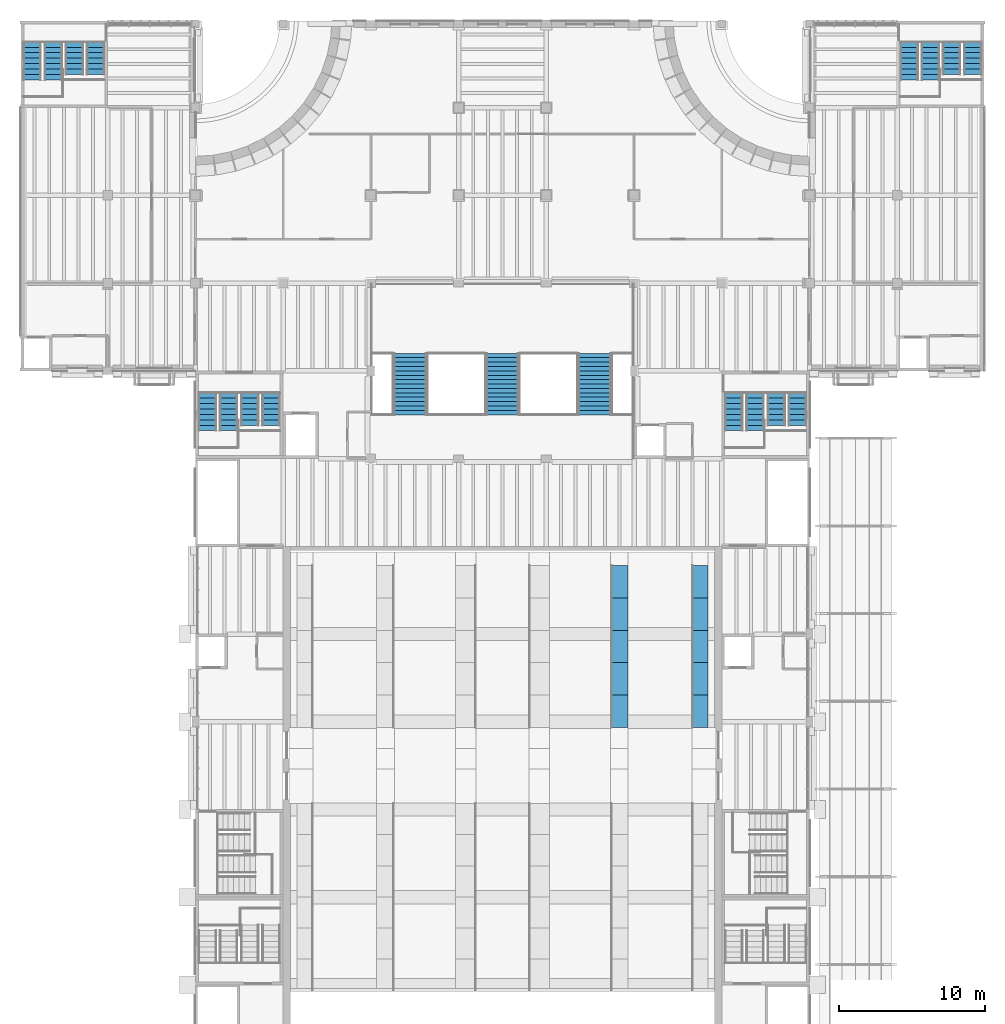
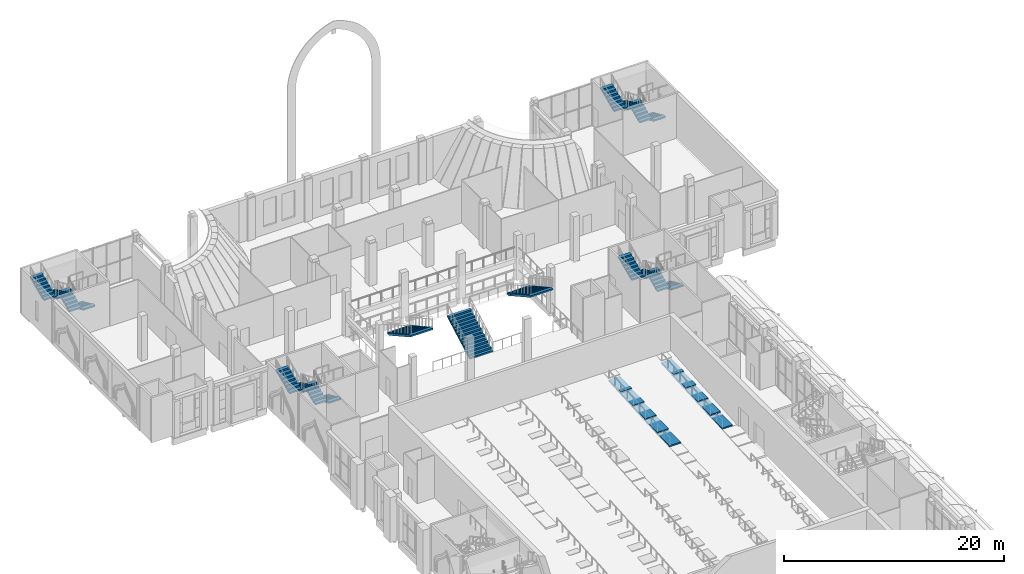
# One storey, part 49 of 80: 21 stair flights, 7 elements without a shape of their own.
"""IFC4 building model written with IfcOpenShell, lengths in metres."""

from ifc_helpers import new_model, si_unit, direction, frame, origin, place, context, subcontext, project, spatial, polyline, outline, extrude, material, type_object, element, aggregate, save


model = new_model("IFC4")

# Units and contexts
model_context = context("Model", 3, precision=1e-05, world=origin(), true_north=direction((0.0, 1.0)))
body_context = subcontext(model_context, "Body", "Model", "MODEL_VIEW")
ifc_project = project(units=[si_unit("LENGTHUNIT", "METRE"), si_unit("AREAUNIT", "SQUARE_METRE"), si_unit("VOLUMEUNIT", "CUBIC_METRE"), si_unit("PLANEANGLEUNIT", "RADIAN"), si_unit("MASSUNIT", "GRAM", prefix="KILO")], contexts=[model_context])

# Site, building, storey
site_placement = place(None, origin())
site = spatial("IfcSite", under=ifc_project, at=site_placement, CompositionType="ELEMENT")
building_placement = place(site_placement, origin())
building = spatial("IfcBuilding", under=site, at=building_placement, Name="Saffron Lane Theatres", CompositionType="ELEMENT")
storey_placement = place(building_placement, frame((0.0, 0.0, 7.0)))
storey = spatial("IfcBuildingStorey", under=building, at=storey_placement, Name="L01", CompositionType="ELEMENT", Elevation=7.0)

# Stair, stair flight
ifc_material_1 = material(Name="Concrete N40 (40 MPa)", Category="concrete")
stair_type_1 = type_object("IfcStairType", Name="VC-STAIR AISLE", PredefinedType="STRAIGHT_RUN_STAIR", material=ifc_material_1)
stair_1_placement = place(storey_placement, origin())
stair_1 = element("IfcStair", 1, at=stair_1_placement, inside=storey, type_object=stair_type_1, Name="Stalls aisle 6 part 2", PredefinedType="STRAIGHT_RUN_STAIR")
ifc_material_2 = material(Name="Concrete N40 (40 MPa)", Category="concrete")
stair_flight_type_1 = type_object("IfcStairFlightType", Name="VC-FLIGHT 1100", PredefinedType="STRAIGHT", material=ifc_material_2)
stair_flight_1_placement = place(storey_placement, frame((46.5, 77.60009765625, 0.2080078125), z_axis=(0.0, 0.0, 1.0), x_axis=(0.0, 1.0, 0.0)))
stair_flight_1 = element("IfcStairFlight", 2, at=stair_flight_1_placement, type_object=stair_flight_type_1, Name="Stalls aisle 6 part 2 flight", NumberOfRisers=6, NumberOfTreads=5, PredefinedType="STRAIGHT", RiserHeight=0.148, TreadLength=2.22, context=body_context, shape_type="SweptSolid", body=[
    extrude(outline(polyline([(0.0, 0.0), (0.0, 0.14794921875), (2.219970703125, 0.14794921875), (2.219970703125, 0.2958984375), (4.43994140625, 0.2958984375), (4.43994140625, 0.444091796875), (6.659912109375, 0.444091796875), (6.659912109375, 0.592041015625), (8.8798828125, 0.592041015625), (8.8798828125, 0.739990234375), (11.10009765625, 0.739990234375), (11.10009765625, 0.887939453125), (11.10009765625, 0.58984375), (2.25341796875, 0.0), (0.0, 0.0)])), frame((0.0, 0.550048828125, 0.0), z_axis=(0.0, -1.0, 0.0), x_axis=(1.0, 0.0, 0.0)), (0.0, 0.0, 1.0), 1.10009765625),
])
aggregate(stair_1, [stair_flight_1])

stair_2_placement = place(storey_placement, origin())
stair_2 = element("IfcStair", 3, at=stair_2_placement, inside=storey, type_object=stair_type_1, Name="Stalls aisle 5 part 2", PredefinedType="STRAIGHT_RUN_STAIR")
ifc_material_3 = material(Name="Concrete N40 (40 MPa)", Category="concrete")
stair_flight_type_2 = type_object("IfcStairFlightType", Name="VC-FLIGHT 1200", PredefinedType="STRAIGHT", material=ifc_material_3)
stair_flight_2_placement = place(storey_placement, frame((41.0, 77.60009765625, 0.2080078125), z_axis=(0.0, 0.0, 1.0), x_axis=(0.0, 1.0, 0.0)))
stair_flight_2 = element("IfcStairFlight", 4, at=stair_flight_2_placement, type_object=stair_flight_type_2, Name="Stalls aisle 5 part 2 flight", NumberOfRisers=6, NumberOfTreads=5, PredefinedType="STRAIGHT", RiserHeight=0.148, TreadLength=2.22, context=body_context, shape_type="SweptSolid", body=[
    extrude(outline(polyline([(0.0, 0.0), (0.0, 0.14794921875), (2.219970703125, 0.14794921875), (2.219970703125, 0.2958984375), (4.43994140625, 0.2958984375), (4.43994140625, 0.444091796875), (6.659912109375, 0.444091796875), (6.659912109375, 0.592041015625), (8.8798828125, 0.592041015625), (8.8798828125, 0.739990234375), (11.10009765625, 0.739990234375), (11.10009765625, 0.887939453125), (11.10009765625, 0.58984375), (2.25341796875, 0.0), (0.0, 0.0)])), frame((0.0, 0.60009765625, 0.0), z_axis=(0.0, -1.0, 0.0), x_axis=(1.0, 0.0, 0.0)), (0.0, 0.0, 1.0), 1.199951171875),
])
aggregate(stair_2, [stair_flight_2])

# Stair, stair flights
ifc_material_4 = material(Name="Concrete N40 (40 MPa)", Category="concrete")
stair_type_2 = type_object("IfcStairType", Name="VC-STAIR EXIT", PredefinedType="TWO_STRAIGHT_RUN_STAIR", material=ifc_material_4)
stair_3_placement = place(storey_placement, origin())
stair_3 = element("IfcStair", 5, at=stair_3_placement, inside=storey, type_object=stair_type_2, Name="Brick Block West Stair L01 to L02", PredefinedType="TWO_STRAIGHT_RUN_STAIR")
ifc_material_5 = material(Name="Concrete N40 (40 MPa)", Category="concrete")
stair_flight_type_3 = type_object("IfcStairFlightType", Name="VC-FLIGHT 1250", PredefinedType="STRAIGHT", material=ifc_material_5)
stair_flight_3_placement = place(storey_placement, frame((17.175048828125, 100.5, 0.0), z_axis=(0.0, 0.0, 1.0), x_axis=(0.0, -1.0, 0.0)))
stair_flight_3 = element("IfcStairFlight", 6, at=stair_flight_3_placement, type_object=stair_flight_type_3, Name="Brick Block West Stair flight 2.1", NumberOfRisers=7, NumberOfTreads=6, PredefinedType="STRAIGHT", RiserHeight=0.166666667, TreadLength=0.37, context=body_context, shape_type="SweptSolid", body=[
    extrude(outline(polyline([(0.0, 0.0), (0.0, 0.166748046875), (0.3701171875, 0.166748046875), (0.3701171875, 0.333251953125), (0.739990234375, 0.333251953125), (0.739990234375, 0.5), (1.110107421875, 0.5), (1.110107421875, 0.666748046875), (1.47998046875, 0.666748046875), (1.47998046875, 0.833251953125), (1.85009765625, 0.833251953125), (1.85009765625, 1.0), (2.219970703125, 1.0), (2.219970703125, 1.166748046875), (2.219970703125, 0.835693359375), (0.364990234375, 0.0), (0.0, 0.0)])), frame((0.0, 0.625, 0.0), z_axis=(0.0, -1.0, 0.0), x_axis=(1.0, 0.0, 0.0)), (0.0, 0.0, 1.0), 1.25),
])
stair_flight_4_placement = place(storey_placement, frame((15.72509765625, 98.280029296875, 1.166748046875), z_axis=(0.0, 0.0, 1.0), x_axis=(0.0, 1.0, 0.0)))
stair_flight_4 = element("IfcStairFlight", 7, at=stair_flight_4_placement, type_object=stair_flight_type_3, Name="Brick Block West Stair flight 2.2", NumberOfRisers=7, NumberOfTreads=6, PredefinedType="STRAIGHT", RiserHeight=0.166666667, TreadLength=0.37, context=body_context, shape_type="SweptSolid", body=[
    extrude(outline(polyline([(0.0, 0.0), (0.0, 0.166748046875), (0.3701171875, 0.166748046875), (0.3701171875, 0.333251953125), (0.739990234375, 0.333251953125), (0.739990234375, 0.5), (1.110107421875, 0.5), (1.110107421875, 0.666748046875), (1.47998046875, 0.666748046875), (1.47998046875, 0.833251953125), (1.85009765625, 0.833251953125), (1.85009765625, 1.0), (2.219970703125, 1.0), (2.219970703125, 1.166748046875), (2.219970703125, 0.835693359375), (0.364990234375, 0.0), (0.0, 0.0)])), frame((0.0, 0.625, 0.0), z_axis=(0.0, -1.0, 0.0), x_axis=(1.0, 0.0, 0.0)), (0.0, 0.0, 1.0), 1.25),
])
stair_flight_5_placement = place(storey_placement, frame((14.27490234375, 100.5, 2.333251953125), z_axis=(0.0, 0.0, 1.0), x_axis=(0.0, -1.0, 0.0)))
stair_flight_5 = element("IfcStairFlight", 8, at=stair_flight_5_placement, type_object=stair_flight_type_3, Name="Brick Block West Stair flight 2.3", NumberOfRisers=8, NumberOfTreads=7, PredefinedType="STRAIGHT", RiserHeight=0.166666667, TreadLength=0.37, context=body_context, shape_type="SweptSolid", body=[
    extrude(outline(polyline([(0.0, 0.0), (0.0, 0.166748046875), (0.3701171875, 0.166748046875), (0.3701171875, 0.333251953125), (0.739990234375, 0.333251953125), (0.739990234375, 0.5), (1.110107421875, 0.5), (1.110107421875, 0.666748046875), (1.47998046875, 0.666748046875), (1.47998046875, 0.833251953125), (1.85009765625, 0.833251953125), (1.85009765625, 1.0), (2.219970703125, 1.0), (2.219970703125, 1.166748046875), (2.590087890625, 1.166748046875), (2.590087890625, 1.333251953125), (2.590087890625, 1.002197265625), (0.364990234375, 0.0), (0.0, 0.0)])), frame((0.0, 0.625, 0.0), z_axis=(0.0, -1.0, 0.0), x_axis=(1.0, 0.0, 0.0)), (0.0, 0.0, 1.0), 1.25),
])
stair_flight_6_placement = place(storey_placement, frame((12.824951171875, 97.909912109375, 3.666748046875), z_axis=(0.0, 0.0, 1.0), x_axis=(0.0, 1.0, 0.0)))
stair_flight_6 = element("IfcStairFlight", 9, at=stair_flight_6_placement, type_object=stair_flight_type_3, Name="Brick Block West Stair flight 2.4", NumberOfRisers=8, NumberOfTreads=7, PredefinedType="STRAIGHT", RiserHeight=0.166666667, TreadLength=0.37, context=body_context, shape_type="SweptSolid", body=[
    extrude(outline(polyline([(0.0, 0.0), (0.0, 0.166748046875), (0.3701171875, 0.166748046875), (0.3701171875, 0.333251953125), (0.739990234375, 0.333251953125), (0.739990234375, 0.5), (1.110107421875, 0.5), (1.110107421875, 0.666748046875), (1.47998046875, 0.666748046875), (1.47998046875, 0.833251953125), (1.85009765625, 0.833251953125), (1.85009765625, 1.0), (2.219970703125, 1.0), (2.219970703125, 1.166748046875), (2.590087890625, 1.166748046875), (2.590087890625, 1.333251953125), (2.590087890625, 1.002197265625), (0.364990234375, 0.0), (0.0, 0.0)])), frame((0.0, 0.625, 0.0), z_axis=(0.0, -1.0, 0.0), x_axis=(1.0, 0.0, 0.0)), (0.0, 0.0, 1.0), 1.25),
])
aggregate(stair_3, [stair_flight_3, stair_flight_4, stair_flight_5, stair_flight_6])

stair_4_placement = place(storey_placement, origin())
stair_4 = element("IfcStair", 10, at=stair_4_placement, inside=storey, type_object=stair_type_2, Name="Brick Block East Stair L01 to L02", PredefinedType="TWO_STRAIGHT_RUN_STAIR")
stair_flight_7_placement = place(storey_placement, frame((53.175048828125, 100.5, 0.0), z_axis=(0.0, 0.0, 1.0), x_axis=(0.0, -1.0, 0.0)))
stair_flight_7 = element("IfcStairFlight", 11, at=stair_flight_7_placement, type_object=stair_flight_type_3, Name="Brick Block East Stair flight 2.1", NumberOfRisers=7, NumberOfTreads=6, PredefinedType="STRAIGHT", RiserHeight=0.166666667, TreadLength=0.37, context=body_context, shape_type="SweptSolid", body=[
    extrude(outline(polyline([(0.0, 0.0), (0.0, 0.166748046875), (0.3701171875, 0.166748046875), (0.3701171875, 0.333251953125), (0.739990234375, 0.333251953125), (0.739990234375, 0.5), (1.110107421875, 0.5), (1.110107421875, 0.666748046875), (1.47998046875, 0.666748046875), (1.47998046875, 0.833251953125), (1.85009765625, 0.833251953125), (1.85009765625, 1.0), (2.219970703125, 1.0), (2.219970703125, 1.166748046875), (2.219970703125, 0.835693359375), (0.364990234375, 0.0), (0.0, 0.0)])), frame((0.0, 0.625, 0.0), z_axis=(0.0, -1.0, 0.0), x_axis=(1.0, 0.0, 0.0)), (0.0, 0.0, 1.0), 1.25),
])
stair_flight_8_placement = place(storey_placement, frame((51.72509765625, 98.280029296875, 1.166748046875), z_axis=(0.0, 0.0, 1.0), x_axis=(0.0, 1.0, 0.0)))
stair_flight_8 = element("IfcStairFlight", 12, at=stair_flight_8_placement, type_object=stair_flight_type_3, Name="Brick Block East Stair flight 2.2", NumberOfRisers=7, NumberOfTreads=6, PredefinedType="STRAIGHT", RiserHeight=0.166666667, TreadLength=0.37, context=body_context, shape_type="SweptSolid", body=[
    extrude(outline(polyline([(0.0, 0.0), (0.0, 0.166748046875), (0.3701171875, 0.166748046875), (0.3701171875, 0.333251953125), (0.739990234375, 0.333251953125), (0.739990234375, 0.5), (1.110107421875, 0.5), (1.110107421875, 0.666748046875), (1.47998046875, 0.666748046875), (1.47998046875, 0.833251953125), (1.85009765625, 0.833251953125), (1.85009765625, 1.0), (2.219970703125, 1.0), (2.219970703125, 1.166748046875), (2.219970703125, 0.835693359375), (0.364990234375, 0.0), (0.0, 0.0)])), frame((0.0, 0.625, 0.0), z_axis=(0.0, -1.0, 0.0), x_axis=(1.0, 0.0, 0.0)), (0.0, 0.0, 1.0), 1.25),
])
stair_flight_9_placement = place(storey_placement, frame((50.27490234375, 100.5, 2.333251953125), z_axis=(0.0, 0.0, 1.0), x_axis=(0.0, -1.0, 0.0)))
stair_flight_9 = element("IfcStairFlight", 13, at=stair_flight_9_placement, type_object=stair_flight_type_3, Name="Brick Block East Stair flight 2.3", NumberOfRisers=8, NumberOfTreads=7, PredefinedType="STRAIGHT", RiserHeight=0.166666667, TreadLength=0.37, context=body_context, shape_type="SweptSolid", body=[
    extrude(outline(polyline([(0.0, 0.0), (0.0, 0.166748046875), (0.3701171875, 0.166748046875), (0.3701171875, 0.333251953125), (0.739990234375, 0.333251953125), (0.739990234375, 0.5), (1.110107421875, 0.5), (1.110107421875, 0.666748046875), (1.47998046875, 0.666748046875), (1.47998046875, 0.833251953125), (1.85009765625, 0.833251953125), (1.85009765625, 1.0), (2.219970703125, 1.0), (2.219970703125, 1.166748046875), (2.590087890625, 1.166748046875), (2.590087890625, 1.333251953125), (2.590087890625, 1.002197265625), (0.364990234375, 0.0), (0.0, 0.0)])), frame((0.0, 0.625, 0.0), z_axis=(0.0, -1.0, 0.0), x_axis=(1.0, 0.0, 0.0)), (0.0, 0.0, 1.0), 1.25),
])
stair_flight_10_placement = place(storey_placement, frame((48.824951171875, 97.909912109375, 3.666748046875), z_axis=(0.0, 0.0, 1.0), x_axis=(0.0, 1.0, 0.0)))
stair_flight_10 = element("IfcStairFlight", 14, at=stair_flight_10_placement, type_object=stair_flight_type_3, Name="Brick Block East Stair flight 2.4", NumberOfRisers=8, NumberOfTreads=7, PredefinedType="STRAIGHT", RiserHeight=0.166666667, TreadLength=0.37, context=body_context, shape_type="SweptSolid", body=[
    extrude(outline(polyline([(0.0, 0.0), (0.0, 0.166748046875), (0.3701171875, 0.166748046875), (0.3701171875, 0.333251953125), (0.739990234375, 0.333251953125), (0.739990234375, 0.5), (1.110107421875, 0.5), (1.110107421875, 0.666748046875), (1.47998046875, 0.666748046875), (1.47998046875, 0.833251953125), (1.85009765625, 0.833251953125), (1.85009765625, 1.0), (2.219970703125, 1.0), (2.219970703125, 1.166748046875), (2.590087890625, 1.166748046875), (2.590087890625, 1.333251953125), (2.590087890625, 1.002197265625), (0.364990234375, 0.0), (0.0, 0.0)])), frame((0.0, 0.625, 0.0), z_axis=(0.0, -1.0, 0.0), x_axis=(1.0, 0.0, 0.0)), (0.0, 0.0, 1.0), 1.25),
])
aggregate(stair_4, [stair_flight_7, stair_flight_8, stair_flight_9, stair_flight_10])

stair_5_placement = place(storey_placement, origin())
stair_5 = element("IfcStair", 15, at=stair_5_placement, inside=storey, type_object=stair_type_2, Name="West Wing Street Stair L01 to L02", PredefinedType="TWO_STRAIGHT_RUN_STAIR")
stair_flight_11_placement = place(storey_placement, frame((5.175048828125, 124.5, 0.0), z_axis=(0.0, 0.0, 1.0), x_axis=(0.0, -1.0, 0.0)))
stair_flight_11 = element("IfcStairFlight", 16, at=stair_flight_11_placement, type_object=stair_flight_type_3, Name="West Wing Street Stair flight 2.1", NumberOfRisers=7, NumberOfTreads=6, PredefinedType="STRAIGHT", RiserHeight=0.166666667, TreadLength=0.37, context=body_context, shape_type="SweptSolid", body=[
    extrude(outline(polyline([(0.0, 0.0), (0.0, 0.166748046875), (0.3701171875, 0.166748046875), (0.3701171875, 0.333251953125), (0.739990234375, 0.333251953125), (0.739990234375, 0.5), (1.110107421875, 0.5), (1.110107421875, 0.666748046875), (1.47998046875, 0.666748046875), (1.47998046875, 0.833251953125), (1.85009765625, 0.833251953125), (1.85009765625, 1.0), (2.219970703125, 1.0), (2.219970703125, 1.166748046875), (2.219970703125, 0.835693359375), (0.364990234375, 0.0), (0.0, 0.0)])), frame((0.0, 0.625, 0.0), z_axis=(0.0, -1.0, 0.0), x_axis=(1.0, 0.0, 0.0)), (0.0, 0.0, 1.0), 1.25),
])
stair_flight_12_placement = place(storey_placement, frame((3.72509765625, 122.280029296875, 1.166748046875), z_axis=(0.0, 0.0, 1.0), x_axis=(0.0, 1.0, 0.0)))
stair_flight_12 = element("IfcStairFlight", 17, at=stair_flight_12_placement, type_object=stair_flight_type_3, Name="West Wing Street Stair flight 2.2", NumberOfRisers=7, NumberOfTreads=6, PredefinedType="STRAIGHT", RiserHeight=0.166666667, TreadLength=0.37, context=body_context, shape_type="SweptSolid", body=[
    extrude(outline(polyline([(0.0, 0.0), (0.0, 0.166748046875), (0.3701171875, 0.166748046875), (0.3701171875, 0.333251953125), (0.739990234375, 0.333251953125), (0.739990234375, 0.5), (1.110107421875, 0.5), (1.110107421875, 0.666748046875), (1.47998046875, 0.666748046875), (1.47998046875, 0.833251953125), (1.85009765625, 0.833251953125), (1.85009765625, 1.0), (2.219970703125, 1.0), (2.219970703125, 1.166748046875), (2.219970703125, 0.835693359375), (0.364990234375, 0.0), (0.0, 0.0)])), frame((0.0, 0.625, 0.0), z_axis=(0.0, -1.0, 0.0), x_axis=(1.0, 0.0, 0.0)), (0.0, 0.0, 1.0), 1.25),
])
stair_flight_13_placement = place(storey_placement, frame((2.27490234375, 124.5, 2.333251953125), z_axis=(0.0, 0.0, 1.0), x_axis=(0.0, -1.0, 0.0)))
stair_flight_13 = element("IfcStairFlight", 18, at=stair_flight_13_placement, type_object=stair_flight_type_3, Name="West Wing Street Stair flight 2.3", NumberOfRisers=8, NumberOfTreads=7, PredefinedType="STRAIGHT", RiserHeight=0.166666667, TreadLength=0.37, context=body_context, shape_type="SweptSolid", body=[
    extrude(outline(polyline([(0.0, 0.0), (0.0, 0.166748046875), (0.3701171875, 0.166748046875), (0.3701171875, 0.333251953125), (0.739990234375, 0.333251953125), (0.739990234375, 0.5), (1.110107421875, 0.5), (1.110107421875, 0.666748046875), (1.47998046875, 0.666748046875), (1.47998046875, 0.833251953125), (1.85009765625, 0.833251953125), (1.85009765625, 1.0), (2.219970703125, 1.0), (2.219970703125, 1.166748046875), (2.590087890625, 1.166748046875), (2.590087890625, 1.333251953125), (2.590087890625, 1.002197265625), (0.364990234375, 0.0), (0.0, 0.0)])), frame((0.0, 0.625, 0.0), z_axis=(0.0, -1.0, 0.0), x_axis=(1.0, 0.0, 0.0)), (0.0, 0.0, 1.0), 1.25),
])
stair_flight_14_placement = place(storey_placement, frame((0.824951171875, 121.909912109375, 3.666748046875), z_axis=(0.0, 0.0, 1.0), x_axis=(0.0, 1.0, 0.0)))
stair_flight_14 = element("IfcStairFlight", 19, at=stair_flight_14_placement, type_object=stair_flight_type_3, Name="West Wing Street Stair flight 2.4", NumberOfRisers=8, NumberOfTreads=7, PredefinedType="STRAIGHT", RiserHeight=0.166666667, TreadLength=0.37, context=body_context, shape_type="SweptSolid", body=[
    extrude(outline(polyline([(0.0, 0.0), (0.0, 0.166748046875), (0.3701171875, 0.166748046875), (0.3701171875, 0.333251953125), (0.739990234375, 0.333251953125), (0.739990234375, 0.5), (1.110107421875, 0.5), (1.110107421875, 0.666748046875), (1.47998046875, 0.666748046875), (1.47998046875, 0.833251953125), (1.85009765625, 0.833251953125), (1.85009765625, 1.0), (2.219970703125, 1.0), (2.219970703125, 1.166748046875), (2.590087890625, 1.166748046875), (2.590087890625, 1.333251953125), (2.590087890625, 1.002197265625), (0.364990234375, 0.0), (0.0, 0.0)])), frame((0.0, 0.625, 0.0), z_axis=(0.0, -1.0, 0.0), x_axis=(1.0, 0.0, 0.0)), (0.0, 0.0, 1.0), 1.25),
])
aggregate(stair_5, [stair_flight_11, stair_flight_12, stair_flight_13, stair_flight_14])

stair_6_placement = place(storey_placement, origin())
stair_6 = element("IfcStair", 20, at=stair_6_placement, inside=storey, type_object=stair_type_2, Name="East Wing Street Stair L01 to L02", PredefinedType="TWO_STRAIGHT_RUN_STAIR")
stair_flight_15_placement = place(storey_placement, frame((65.175048828125, 124.5, 0.0), z_axis=(0.0, 0.0, 1.0), x_axis=(0.0, -1.0, 0.0)))
stair_flight_15 = element("IfcStairFlight", 21, at=stair_flight_15_placement, type_object=stair_flight_type_3, Name="East Wing Street Stair flight 2.1", NumberOfRisers=7, NumberOfTreads=6, PredefinedType="STRAIGHT", RiserHeight=0.166666667, TreadLength=0.37, context=body_context, shape_type="SweptSolid", body=[
    extrude(outline(polyline([(0.0, 0.0), (0.0, 0.166748046875), (0.3701171875, 0.166748046875), (0.3701171875, 0.333251953125), (0.739990234375, 0.333251953125), (0.739990234375, 0.5), (1.110107421875, 0.5), (1.110107421875, 0.666748046875), (1.47998046875, 0.666748046875), (1.47998046875, 0.833251953125), (1.85009765625, 0.833251953125), (1.85009765625, 1.0), (2.219970703125, 1.0), (2.219970703125, 1.166748046875), (2.219970703125, 0.835693359375), (0.364990234375, 0.0), (0.0, 0.0)])), frame((0.0, 0.625, 0.0), z_axis=(0.0, -1.0, 0.0), x_axis=(1.0, 0.0, 0.0)), (0.0, 0.0, 1.0), 1.25),
])
stair_flight_16_placement = place(storey_placement, frame((63.72509765625, 122.280029296875, 1.166748046875), z_axis=(0.0, 0.0, 1.0), x_axis=(0.0, 1.0, 0.0)))
stair_flight_16 = element("IfcStairFlight", 22, at=stair_flight_16_placement, type_object=stair_flight_type_3, Name="East Wing Street Stair flight 2.2", NumberOfRisers=7, NumberOfTreads=6, PredefinedType="STRAIGHT", RiserHeight=0.166666667, TreadLength=0.37, context=body_context, shape_type="SweptSolid", body=[
    extrude(outline(polyline([(0.0, 0.0), (0.0, 0.166748046875), (0.3701171875, 0.166748046875), (0.3701171875, 0.333251953125), (0.739990234375, 0.333251953125), (0.739990234375, 0.5), (1.110107421875, 0.5), (1.110107421875, 0.666748046875), (1.47998046875, 0.666748046875), (1.47998046875, 0.833251953125), (1.85009765625, 0.833251953125), (1.85009765625, 1.0), (2.219970703125, 1.0), (2.219970703125, 1.166748046875), (2.219970703125, 0.835693359375), (0.364990234375, 0.0), (0.0, 0.0)])), frame((0.0, 0.625, 0.0), z_axis=(0.0, -1.0, 0.0), x_axis=(1.0, 0.0, 0.0)), (0.0, 0.0, 1.0), 1.25),
])
stair_flight_17_placement = place(storey_placement, frame((62.27490234375, 124.5, 2.333251953125), z_axis=(0.0, 0.0, 1.0), x_axis=(0.0, -1.0, 0.0)))
stair_flight_17 = element("IfcStairFlight", 23, at=stair_flight_17_placement, type_object=stair_flight_type_3, Name="East Wing Street Stair flight 2.3", NumberOfRisers=8, NumberOfTreads=7, PredefinedType="STRAIGHT", RiserHeight=0.166666667, TreadLength=0.37, context=body_context, shape_type="SweptSolid", body=[
    extrude(outline(polyline([(0.0, 0.0), (0.0, 0.166748046875), (0.3701171875, 0.166748046875), (0.3701171875, 0.333251953125), (0.739990234375, 0.333251953125), (0.739990234375, 0.5), (1.110107421875, 0.5), (1.110107421875, 0.666748046875), (1.47998046875, 0.666748046875), (1.47998046875, 0.833251953125), (1.85009765625, 0.833251953125), (1.85009765625, 1.0), (2.219970703125, 1.0), (2.219970703125, 1.166748046875), (2.590087890625, 1.166748046875), (2.590087890625, 1.333251953125), (2.590087890625, 1.002197265625), (0.364990234375, 0.0), (0.0, 0.0)])), frame((0.0, 0.625, 0.0), z_axis=(0.0, -1.0, 0.0), x_axis=(1.0, 0.0, 0.0)), (0.0, 0.0, 1.0), 1.25),
])
stair_flight_18_placement = place(storey_placement, frame((60.824951171875, 121.909912109375, 3.666748046875), z_axis=(0.0, 0.0, 1.0), x_axis=(0.0, 1.0, 0.0)))
stair_flight_18 = element("IfcStairFlight", 24, at=stair_flight_18_placement, type_object=stair_flight_type_3, Name="East Wing Street Stair flight 2.4", NumberOfRisers=8, NumberOfTreads=7, PredefinedType="STRAIGHT", RiserHeight=0.166666667, TreadLength=0.37, context=body_context, shape_type="SweptSolid", body=[
    extrude(outline(polyline([(0.0, 0.0), (0.0, 0.166748046875), (0.3701171875, 0.166748046875), (0.3701171875, 0.333251953125), (0.739990234375, 0.333251953125), (0.739990234375, 0.5), (1.110107421875, 0.5), (1.110107421875, 0.666748046875), (1.47998046875, 0.666748046875), (1.47998046875, 0.833251953125), (1.85009765625, 0.833251953125), (1.85009765625, 1.0), (2.219970703125, 1.0), (2.219970703125, 1.166748046875), (2.590087890625, 1.166748046875), (2.590087890625, 1.333251953125), (2.590087890625, 1.002197265625), (0.364990234375, 0.0), (0.0, 0.0)])), frame((0.0, 0.625, 0.0), z_axis=(0.0, -1.0, 0.0), x_axis=(1.0, 0.0, 0.0)), (0.0, 0.0, 1.0), 1.25),
])
aggregate(stair_6, [stair_flight_15, stair_flight_16, stair_flight_17, stair_flight_18])

ifc_material_6 = material(Name="Concrete N40 (40 MPa)", Category="concrete")
stair_type_3 = type_object("IfcStairType", Name="VC-STAIR GRAND", PredefinedType="DOUBLE_RETURN_STAIR", material=ifc_material_6)
stair_7_placement = place(storey_placement, origin())
stair_7 = element("IfcStair", 25, at=stair_7_placement, inside=storey, type_object=stair_type_3, Name="Grand Stair L01 to L02", PredefinedType="DOUBLE_RETURN_STAIR")
ifc_material_7 = material(Name="Concrete N40 (40 MPa)", Category="concrete")
stair_flight_type_4 = type_object("IfcStairFlightType", Name="VC-FLIGHT 2400", PredefinedType="STRAIGHT", material=ifc_material_7)
stair_flight_19_placement = place(storey_placement, frame((33.0, 99.0, 0.0), z_axis=(0.0, 0.0, 1.0), x_axis=(0.0, 1.0, 0.0)))
stair_flight_19 = element("IfcStairFlight", 26, at=stair_flight_19_placement, type_object=stair_flight_type_4, Name="Grand Stair flight 2.1", NumberOfRisers=15, NumberOfTreads=14, PredefinedType="STRAIGHT", RiserHeight=0.166666667, TreadLength=0.3, context=body_context, shape_type="SweptSolid", body=[
    extrude(outline(polyline([(0.0, 0.0), (0.0, 0.166748046875), (0.300048828125, 0.166748046875), (0.300048828125, 0.333251953125), (0.60009765625, 0.333251953125), (0.60009765625, 0.5), (0.89990234375, 0.5), (0.89990234375, 0.666748046875), (1.199951171875, 0.666748046875), (1.199951171875, 0.833251953125), (1.5, 0.833251953125), (1.5, 1.0), (1.800048828125, 1.0), (1.800048828125, 1.166748046875), (2.10009765625, 1.166748046875), (2.10009765625, 1.333251953125), (2.39990234375, 1.333251953125), (2.39990234375, 1.5), (2.699951171875, 1.5), (2.699951171875, 1.666748046875), (3.0, 1.666748046875), (3.0, 1.833251953125), (3.300048828125, 1.833251953125), (3.300048828125, 2.0), (3.60009765625, 2.0), (3.60009765625, 2.166748046875), (3.89990234375, 2.166748046875), (3.89990234375, 2.333251953125), (4.199951171875, 2.333251953125), (4.199951171875, 2.5), (4.199951171875, 2.161865234375), (0.30859375, 0.0), (0.0, 0.0)])), frame((0.0, 1.199951171875, 0.0), z_axis=(0.0, -1.0, 0.0), x_axis=(1.0, 0.0, 0.0)), (0.0, 0.0, 1.0), 2.39990234375),
])
stair_flight_20_placement = place(storey_placement, frame((26.699951171875, 103.199951171875, 2.5), z_axis=(0.0, 0.0, 1.0), x_axis=(0.0, -1.0, 0.0)))
stair_flight_20 = element("IfcStairFlight", 27, at=stair_flight_20_placement, type_object=stair_flight_type_4, Name="Grand Stair flight 2.2", NumberOfRisers=15, NumberOfTreads=14, PredefinedType="STRAIGHT", RiserHeight=0.166666667, TreadLength=0.3, context=body_context, shape_type="SweptSolid", body=[
    extrude(outline(polyline([(0.0, 0.0), (0.0, 0.166748046875), (0.300048828125, 0.166748046875), (0.300048828125, 0.333251953125), (0.60009765625, 0.333251953125), (0.60009765625, 0.5), (0.89990234375, 0.5), (0.89990234375, 0.666748046875), (1.199951171875, 0.666748046875), (1.199951171875, 0.833251953125), (1.5, 0.833251953125), (1.5, 1.0), (1.800048828125, 1.0), (1.800048828125, 1.166748046875), (2.10009765625, 1.166748046875), (2.10009765625, 1.333251953125), (2.39990234375, 1.333251953125), (2.39990234375, 1.5), (2.699951171875, 1.5), (2.699951171875, 1.666748046875), (3.0, 1.666748046875), (3.0, 1.833251953125), (3.300048828125, 1.833251953125), (3.300048828125, 2.0), (3.60009765625, 2.0), (3.60009765625, 2.166748046875), (3.89990234375, 2.166748046875), (3.89990234375, 2.333251953125), (4.199951171875, 2.333251953125), (4.199951171875, 2.5), (4.199951171875, 2.161865234375), (0.30859375, 0.0), (0.0, 0.0)])), frame((0.0, 1.199951171875, 0.0), z_axis=(0.0, -1.0, 0.0), x_axis=(1.0, 0.0, 0.0)), (0.0, 0.0, 1.0), 2.39990234375),
])
stair_flight_21_placement = place(storey_placement, frame((39.300048828125, 103.199951171875, 2.5), z_axis=(0.0, 0.0, 1.0), x_axis=(0.0, -1.0, 0.0)))
stair_flight_21 = element("IfcStairFlight", 28, at=stair_flight_21_placement, type_object=stair_flight_type_4, Name="Grand Stair flight 2.3", NumberOfRisers=15, NumberOfTreads=14, PredefinedType="STRAIGHT", RiserHeight=0.166666667, TreadLength=0.3, context=body_context, shape_type="SweptSolid", body=[
    extrude(outline(polyline([(0.0, 0.0), (0.0, 0.166748046875), (0.300048828125, 0.166748046875), (0.300048828125, 0.333251953125), (0.60009765625, 0.333251953125), (0.60009765625, 0.5), (0.89990234375, 0.5), (0.89990234375, 0.666748046875), (1.199951171875, 0.666748046875), (1.199951171875, 0.833251953125), (1.5, 0.833251953125), (1.5, 1.0), (1.800048828125, 1.0), (1.800048828125, 1.166748046875), (2.10009765625, 1.166748046875), (2.10009765625, 1.333251953125), (2.39990234375, 1.333251953125), (2.39990234375, 1.5), (2.699951171875, 1.5), (2.699951171875, 1.666748046875), (3.0, 1.666748046875), (3.0, 1.833251953125), (3.300048828125, 1.833251953125), (3.300048828125, 2.0), (3.60009765625, 2.0), (3.60009765625, 2.166748046875), (3.89990234375, 2.166748046875), (3.89990234375, 2.333251953125), (4.199951171875, 2.333251953125), (4.199951171875, 2.5), (4.199951171875, 2.161865234375), (0.30859375, 0.0), (0.0, 0.0)])), frame((0.0, 1.199951171875, 0.0), z_axis=(0.0, -1.0, 0.0), x_axis=(1.0, 0.0, 0.0)), (0.0, 0.0, 1.0), 2.39990234375),
])
aggregate(stair_7, [stair_flight_19, stair_flight_20, stair_flight_21])

save(model, "model.ifc")
